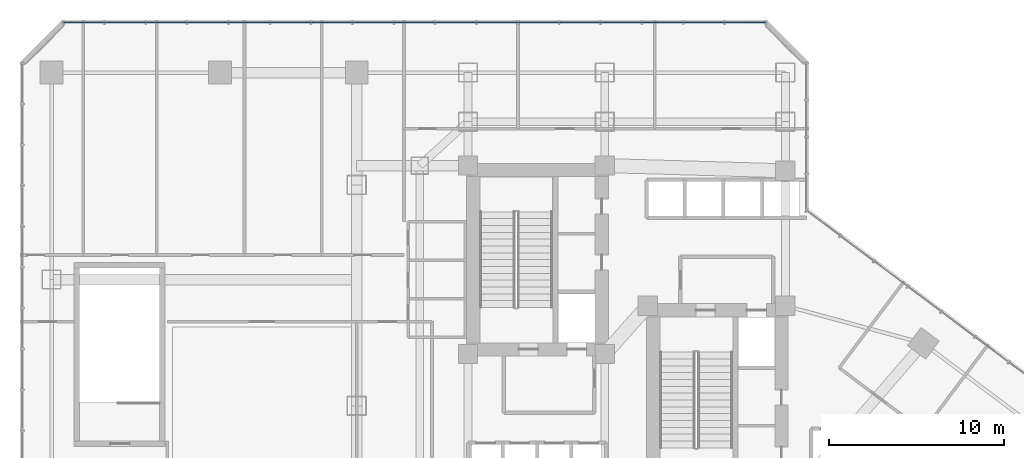
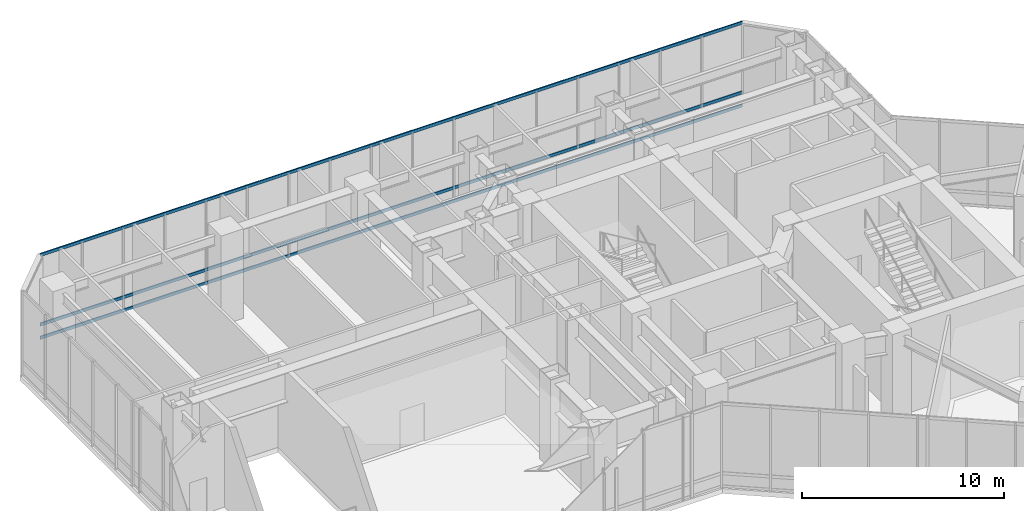
# One storey, part 23 of 38: 3 members, 1 element without a shape of its own.
"""IFC4 building model written with IfcOpenShell, lengths in metres."""

from ifc_helpers import new_model, si_unit, direction, frame, origin, origin_2d, place, context, subcontext, project, spatial, hollow_rectangle, extrude, material, layer, layer_set, material_profile, profile_set, type_object, element, aggregate, save


model = new_model("IFC4")

# Units and contexts
model_context = context("Model", 3, precision=1e-05, world=origin(), true_north=direction((0.0, 1.0)))
body_context = subcontext(model_context, "Body", "Model", "MODEL_VIEW")
ifc_project = project(units=[si_unit("LENGTHUNIT", "METRE"), si_unit("AREAUNIT", "SQUARE_METRE"), si_unit("VOLUMEUNIT", "CUBIC_METRE"), si_unit("PLANEANGLEUNIT", "RADIAN"), si_unit("MASSUNIT", "GRAM", prefix="KILO")], contexts=[model_context])

# Site, building, storey
site_placement = place(None, origin())
site = spatial("IfcSite", under=ifc_project, at=site_placement, CompositionType="ELEMENT")
building_placement = place(site_placement, origin())
building = spatial("IfcBuilding", under=site, at=building_placement, Name="Hatsunagi Terrace Concourse", CompositionType="ELEMENT")
storey_placement = place(building_placement, frame((0.0, 0.0, 21.60009765625)))
storey = spatial("IfcBuildingStorey", under=building, at=storey_placement, Name="L05", CompositionType="ELEMENT", Elevation=21.60009765625)

# Curtain wall, members
ifc_material_1 = material(Name="Anodised Aluminium Alloy 6063-T5", Category="aluminium")
ifc_layer = layer(ifc_material_1, 0.199951171875)
ifc_layer_set = layer_set([ifc_layer], Name="PodiumStorefront_CW01")
curtain_wall_type = type_object("IfcCurtainWallType", Name="PodiumStorefront_CW01", PredefinedType="NOTDEFINED", material=ifc_layer_set)
curtain_wall_placement = place(storey_placement, origin())
curtain_wall = element("IfcCurtainWall", 1, at=curtain_wall_placement, inside=storey, type_object=curtain_wall_type, Name="Unitised Curtain Wall CW-01 CW-L05-11", PredefinedType="NOTDEFINED")
ifc_material_2 = material(Name="Anodised Aluminium Alloy 6063-T5", Category="aluminium")
ifc_material_profile = material_profile(ifc_material_2, hollow_rectangle(XDim=0.070068359375, YDim=0.179931640625, WallThickness=0.00390625, at=origin_2d()), Name="ALU-TRN-180x70x4")
ifc_profile_set = profile_set([ifc_material_profile], Name="Anodised Aluminium Alloy 6063-T5")
member_type = type_object("IfcMemberType", Name="CurtainWallTransom_Heavy_180x70", PredefinedType="USERDEFINED", material=ifc_profile_set)
member_1_placement = place(storey_placement, frame((2.4580078125, 51.4599609375, 0.0498046875), z_axis=(1.0, 0.0, 0.0), x_axis=(0.0, 1.0, 0.0)))
member_1 = element("IfcMember", 2, at=member_1_placement, type_object=member_type, Name="Curtain Wall Transom TRN-01", ObjectType="TRANSOM", PredefinedType="USERDEFINED", context=body_context, shape_type="SweptSolid", body=[
    extrude(hollow_rectangle(XDim=0.070068359375, YDim=0.179931640625, WallThickness=0.00390625, at=origin_2d()), origin(), (0.0, 0.0, 1.0), 40.083984375),
])
member_2_placement = place(storey_placement, frame((2.4580078125, 51.4599609375, 0.849853515625), z_axis=(1.0, 0.0, 0.0), x_axis=(0.0, 1.0, 0.0)))
member_2 = element("IfcMember", 3, at=member_2_placement, type_object=member_type, Name="Curtain Wall Transom TRN-01", ObjectType="TRANSOM", PredefinedType="USERDEFINED", context=body_context, shape_type="SweptSolid", body=[
    extrude(hollow_rectangle(XDim=0.070068359375, YDim=0.179931640625, WallThickness=0.00390625, at=origin_2d()), origin(), (0.0, 0.0, 1.0), 40.083984375),
])
member_3_placement = place(storey_placement, frame((2.4580078125, 51.4599609375, 5.0498046875), z_axis=(1.0, 0.0, 0.0), x_axis=(0.0, 1.0, 0.0)))
member_3 = element("IfcMember", 4, at=member_3_placement, type_object=member_type, Name="Curtain Wall Transom TRN-01", ObjectType="TRANSOM", PredefinedType="USERDEFINED", context=body_context, shape_type="SweptSolid", body=[
    extrude(hollow_rectangle(XDim=0.070068359375, YDim=0.179931640625, WallThickness=0.00390625, at=origin_2d()), origin(), (0.0, 0.0, 1.0), 40.083984375),
])
aggregate(curtain_wall, [member_1, member_2, member_3])

save(model, "model.ifc")
